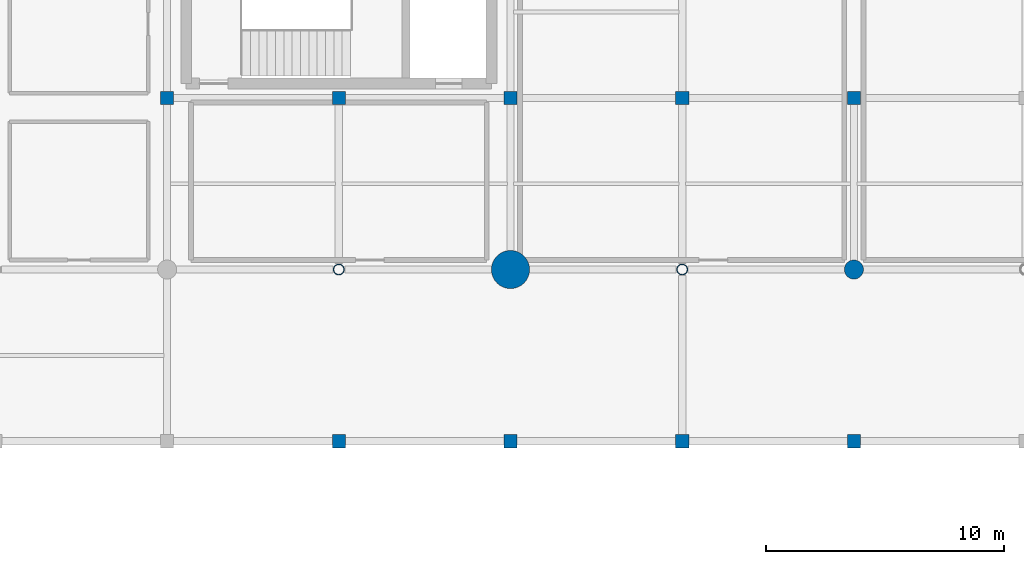
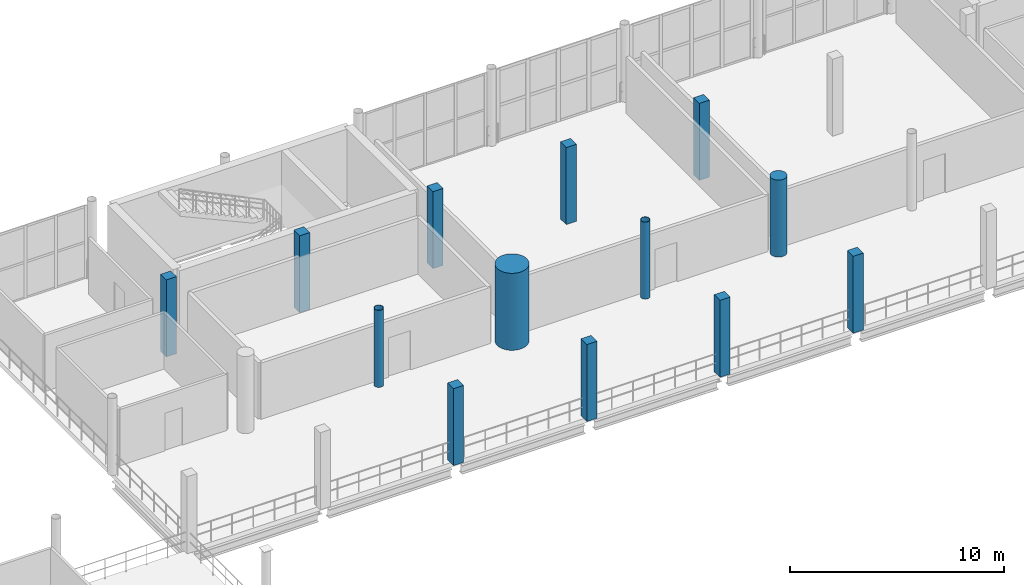
# One storey, part 7 of 81: 13 columns.
"""IFC4 building model written with IfcOpenShell, lengths in metres."""

from ifc_helpers import new_model, si_unit, direction, frame, origin, origin_2d, place, context, subcontext, project, spatial, rectangle, circle, hollow_circle, extrude, material, material_profile, profile_set, type_object, element, save


model = new_model("IFC4")

# Units and contexts
model_context = context("Model", 3, precision=1e-05, world=origin(), true_north=direction((0.0, 1.0)))
body_context = subcontext(model_context, "Body", "Model", "MODEL_VIEW")
ifc_project = project(units=[si_unit("LENGTHUNIT", "METRE"), si_unit("AREAUNIT", "SQUARE_METRE"), si_unit("VOLUMEUNIT", "CUBIC_METRE"), si_unit("PLANEANGLEUNIT", "RADIAN"), si_unit("MASSUNIT", "GRAM", prefix="KILO")], contexts=[model_context])

# Site, building, storey
site_placement = place(None, origin())
site = spatial("IfcSite", under=ifc_project, at=site_placement, CompositionType="ELEMENT")
building_placement = place(site_placement, origin())
building = spatial("IfcBuilding", under=site, at=building_placement, Name="Qandorah Velis Arena", CompositionType="ELEMENT")
storey_placement = place(building_placement, frame((0.0, 0.0, 18.60009765625)))
storey = spatial("IfcBuildingStorey", under=building, at=storey_placement, Name="L04", CompositionType="ELEMENT", Elevation=18.60009765625)

# Columns
ifc_material_1 = material(Name="Steel S355", Category="steel")
ifc_material_profile_1 = material_profile(ifc_material_1, hollow_circle(Radius=0.228515625, WallThickness=0.02001953125, at=origin_2d()), Name="CHS 457x20")
ifc_profile_set_1 = profile_set([ifc_material_profile_1], Name="Steel S355")
column_type_1 = type_object("IfcColumnType", Name="STR-COL-CHS457", PredefinedType="COLUMN", material=ifc_profile_set_1)
for number, where, z_axis, x_axis, name in (
    (1, (36.0, 115.199951171875, 0.0), (0.0, 0.0, 1.0), (1.0, 0.0, 0.0), "Structural column L04-069"),
    (2, (50.39990234375, 115.199951171875, 0.0), (0.0, 0.0, 1.0), (1.0, 0.0, 0.0), "Structural column L04-085"),
):
    element("IfcColumn", number, at=place(storey_placement, frame(where, z_axis=z_axis, x_axis=x_axis)), inside=storey, type_object=column_type_1, Name=name, PredefinedType="COLUMN", context=body_context, shape_type="SweptSolid", body=[
        extrude(hollow_circle(Radius=0.228515625, WallThickness=0.02001953125, at=origin_2d()), origin(), (0.0, 0.0, 1.0), 4.39990234375),
    ])
ifc_material_2 = material(Name="Concrete C50/60", Category="concrete")
ifc_material_profile_2 = material_profile(ifc_material_2, circle(Radius=0.800048828125, at=origin_2d()), Name="MC D1600")
ifc_profile_set_2 = profile_set([ifc_material_profile_2], Name="Concrete C50/60")
column_type_2 = type_object("IfcColumnType", Name="STR-COL-MC1600", PredefinedType="COLUMN", material=ifc_profile_set_2)
column_1_placement = place(storey_placement, frame((43.199951171875, 115.199951171875, 0.0), z_axis=(0.0, 0.0, 1.0), x_axis=(1.0, 0.0, 0.0)))
element("IfcColumn", 3, at=column_1_placement, inside=storey, type_object=column_type_2, Name="Mega column MC6 (L04)", PredefinedType="COLUMN", context=body_context, shape_type="SweptSolid", body=[
    extrude(circle(Radius=0.800048828125, at=origin_2d()), origin(), (0.0, 0.0, 1.0), 4.39990234375),
])
ifc_material_3 = material(Name="Concrete C40/50", Category="concrete")
ifc_material_profile_3 = material_profile(ifc_material_3, rectangle(XDim=0.550048828125, YDim=0.550048828125, at=origin_2d()), Name="RC COL 550x550")
ifc_profile_set_3 = profile_set([ifc_material_profile_3], Name="Concrete C40/50")
column_type_3 = type_object("IfcColumnType", Name="STR-COL-RC550", PredefinedType="COLUMN", material=ifc_profile_set_3)
for number, where, z_axis, x_axis, name in (
    (4, (28.800048828125, 122.39990234375, 0.0), (0.0, 0.0, 1.0), (1.0, 0.0, 0.0), "Structural column L04-062"),
    (5, (36.0, 108.0, 0.0), (0.0, 0.0, 1.0), (1.0, 0.0, 0.0), "Structural column L04-068"),
    (6, (36.0, 122.39990234375, 0.0), (0.0, 0.0, 1.0), (1.0, 0.0, 0.0), "Structural column L04-070"),
    (7, (43.199951171875, 108.0, 0.0), (0.0, 0.0, 1.0), (1.0, 0.0, 0.0), "Structural column L04-076"),
    (8, (43.199951171875, 122.39990234375, 0.0), (0.0, 0.0, 1.0), (1.0, 0.0, 0.0), "Structural column L04-078"),
    (9, (50.39990234375, 108.0, 0.0), (0.0, 0.0, 1.0), (1.0, 0.0, 0.0), "Structural column L04-084"),
    (10, (50.39990234375, 122.39990234375, 0.0), (0.0, 0.0, 1.0), (1.0, 0.0, 0.0), "Structural column L04-086"),
    (11, (57.60009765625, 108.0, 0.0), (0.0, 0.0, 1.0), (1.0, 0.0, 0.0), "Structural column L04-092"),
    (12, (57.60009765625, 122.39990234375, 0.0), (0.0, 0.0, 1.0), (1.0, 0.0, 0.0), "Structural column L04-094"),
):
    element("IfcColumn", number, at=place(storey_placement, frame(where, z_axis=z_axis, x_axis=x_axis)), inside=storey, type_object=column_type_3, Name=name, PredefinedType="COLUMN", context=body_context, shape_type="SweptSolid", body=[
        extrude(rectangle(XDim=0.550048828125, YDim=0.550048828125, at=origin_2d()), origin(), (0.0, 0.0, 1.0), 4.39990234375),
    ])
ifc_material_profile_4 = material_profile(ifc_material_3, circle(Radius=0.39990234375, at=origin_2d()), Name="RC D800")
ifc_profile_set_4 = profile_set([ifc_material_profile_4], Name="Concrete C40/50")
column_type_4 = type_object("IfcColumnType", Name="STR-COL-RCD800", PredefinedType="COLUMN", material=ifc_profile_set_4)
column_2_placement = place(storey_placement, frame((57.60009765625, 115.199951171875, 0.0), z_axis=(0.0, 0.0, 1.0), x_axis=(1.0, 0.0, 0.0)))
element("IfcColumn", 13, at=column_2_placement, inside=storey, type_object=column_type_4, Name="Bowl drum ring column L04-093", PredefinedType="COLUMN", context=body_context, shape_type="SweptSolid", body=[
    extrude(circle(Radius=0.39990234375, at=origin_2d()), origin(), (0.0, 0.0, 1.0), 4.39990234375),
])

save(model, "model.ifc")
